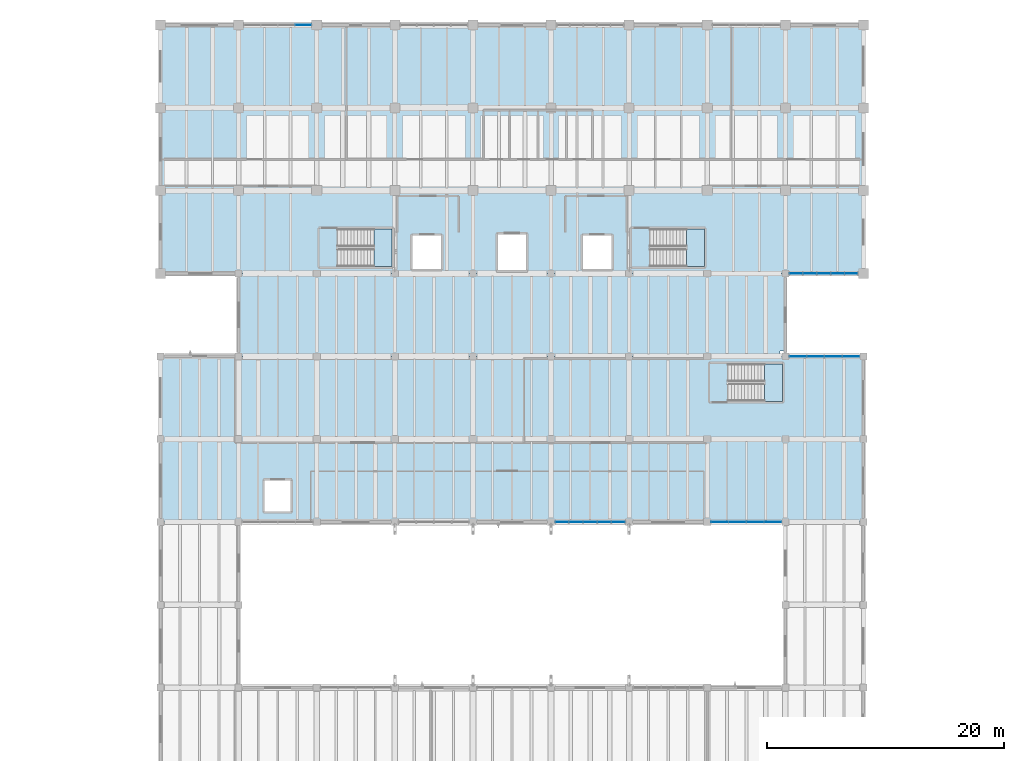
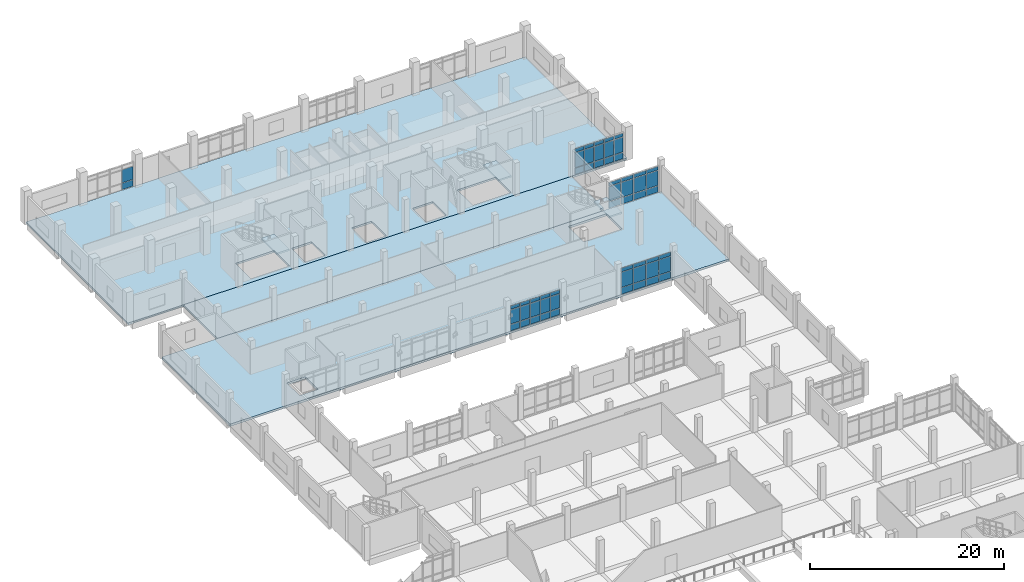
# One storey, part 39 of 68: 56 plates, 6 slabs, 8 elements without a shape of their own.
"""IFC4 building model written with IfcOpenShell, lengths in metres."""

from ifc_helpers import new_model, si_unit, direction, frame, origin, origin_2d, place, context, subcontext, project, spatial, polyline, rectangle, outline, extrude, material, layer, layer_set, type_object, element, aggregate, save


model = new_model("IFC4")

# Units and contexts
model_context = context("Model", 3, precision=1e-05, world=origin(), true_north=direction((0.0, 1.0)))
body_context = subcontext(model_context, "Body", "Model", "MODEL_VIEW")
ifc_project = project(units=[si_unit("LENGTHUNIT", "METRE"), si_unit("AREAUNIT", "SQUARE_METRE"), si_unit("VOLUMEUNIT", "CUBIC_METRE"), si_unit("PLANEANGLEUNIT", "RADIAN"), si_unit("MASSUNIT", "GRAM", prefix="KILO")], contexts=[model_context])

# Site, building, storey
site_placement = place(None, origin())
site = spatial("IfcSite", under=ifc_project, at=site_placement, CompositionType="ELEMENT")
building_placement = place(site_placement, origin())
building = spatial("IfcBuilding", under=site, at=building_placement, Name="Ciguamira Faculty of Natural Sciences", CompositionType="ELEMENT")
storey_placement = place(building_placement, frame((0.0, 0.0, 4.199951171875)))
storey = spatial("IfcBuildingStorey", under=building, at=storey_placement, Name="L01", CompositionType="ELEMENT", Elevation=4.199951171875)

# Curtain wall, plates
ifc_material_1 = material(Name="Anodized aluminium curtain wall", Category="aluminium")
curtain_wall_type_1 = type_object("IfcCurtainWallType", Name="CurtainWall_CW-07", PredefinedType="USERDEFINED", material=ifc_material_1)
curtain_wall_1_placement = place(storey_placement, origin())
curtain_wall_1 = element("IfcCurtainWall", 1, at=curtain_wall_1_placement, inside=storey, type_object=curtain_wall_type_1, Name="L01 unitised curtain wall 0043", ObjectType="UNITISED CURTAIN WALL", PredefinedType="USERDEFINED")
ifc_material_2 = material(Name="Low-E laminated solar glass", Category="glass")
ifc_layer_1 = layer(ifc_material_2, 0.028076171875, Name="Low-E laminated solar glass")
ifc_layer_set_1 = layer_set([ifc_layer_1], Name="Low-E laminated solar glass")
plate_type_1 = type_object("IfcPlateType", Name="CWPanel_CWP-01", PredefinedType="CURTAIN_PANEL", material=ifc_layer_set_1)
plate_1_placement = place(storey_placement, frame((104.56494140625, 73.0, 0.06005859375), z_axis=(0.0, 0.0, 1.0), x_axis=(1.0, 0.0, 0.0)))
plate_1 = element("IfcPlate", 2, at=plate_1_placement, type_object=plate_type_1, Name="CW-07 panel 1.1", PredefinedType="CURTAIN_PANEL", context=body_context, shape_type="SweptSolid", body=[
    extrude(rectangle(XDim=1.409912109375, YDim=0.028076171875, at=origin_2d()), origin(), (0.0, 0.0, 1.0), 0.81005859375),
])
plate_2_placement = place(storey_placement, frame((104.56494140625, 73.0, 0.929931640625), z_axis=(0.0, 0.0, 1.0), x_axis=(1.0, 0.0, 0.0)))
plate_2 = element("IfcPlate", 3, at=plate_2_placement, type_object=plate_type_1, Name="CW-07 panel 1.2", PredefinedType="CURTAIN_PANEL", context=body_context, shape_type="SweptSolid", body=[
    extrude(rectangle(XDim=1.409912109375, YDim=0.028076171875, at=origin_2d()), origin(), (0.0, 0.0, 1.0), 1.875),
])
plate_3_placement = place(storey_placement, frame((104.56494140625, 73.0, 2.864990234375), z_axis=(0.0, 0.0, 1.0), x_axis=(1.0, 0.0, 0.0)))
plate_3 = element("IfcPlate", 4, at=plate_3_placement, type_object=plate_type_1, Name="CW-07 panel 1.3", PredefinedType="CURTAIN_PANEL", context=body_context, shape_type="SweptSolid", body=[
    extrude(rectangle(XDim=1.409912109375, YDim=0.028076171875, at=origin_2d()), origin(), (0.0, 0.0, 1.0), 0.4599609375),
])
plate_4_placement = place(storey_placement, frame((106.050048828125, 73.0, 0.06005859375), z_axis=(0.0, 0.0, 1.0), x_axis=(1.0, 0.0, 0.0)))
plate_4 = element("IfcPlate", 5, at=plate_4_placement, type_object=plate_type_1, Name="CW-07 panel 2.1", PredefinedType="CURTAIN_PANEL", context=body_context, shape_type="SweptSolid", body=[
    extrude(rectangle(XDim=1.43994140625, YDim=0.028076171875, at=origin_2d()), origin(), (0.0, 0.0, 1.0), 0.81005859375),
])
plate_5_placement = place(storey_placement, frame((106.050048828125, 73.0, 0.929931640625), z_axis=(0.0, 0.0, 1.0), x_axis=(1.0, 0.0, 0.0)))
plate_5 = element("IfcPlate", 6, at=plate_5_placement, type_object=plate_type_1, Name="CW-07 panel 2.2", PredefinedType="CURTAIN_PANEL", context=body_context, shape_type="SweptSolid", body=[
    extrude(rectangle(XDim=1.43994140625, YDim=0.028076171875, at=origin_2d()), origin(), (0.0, 0.0, 1.0), 1.875),
])
plate_6_placement = place(storey_placement, frame((106.050048828125, 73.0, 2.864990234375), z_axis=(0.0, 0.0, 1.0), x_axis=(1.0, 0.0, 0.0)))
plate_6 = element("IfcPlate", 7, at=plate_6_placement, type_object=plate_type_1, Name="CW-07 panel 2.3", PredefinedType="CURTAIN_PANEL", context=body_context, shape_type="SweptSolid", body=[
    extrude(rectangle(XDim=1.43994140625, YDim=0.028076171875, at=origin_2d()), origin(), (0.0, 0.0, 1.0), 0.4599609375),
])
plate_7_placement = place(storey_placement, frame((107.550048828125, 73.0, 0.06005859375), z_axis=(0.0, 0.0, 1.0), x_axis=(1.0, 0.0, 0.0)))
plate_7 = element("IfcPlate", 8, at=plate_7_placement, type_object=plate_type_1, Name="CW-07 panel 3.1", PredefinedType="CURTAIN_PANEL", context=body_context, shape_type="SweptSolid", body=[
    extrude(rectangle(XDim=1.43994140625, YDim=0.028076171875, at=origin_2d()), origin(), (0.0, 0.0, 1.0), 0.81005859375),
])
plate_8_placement = place(storey_placement, frame((107.550048828125, 73.0, 0.929931640625), z_axis=(0.0, 0.0, 1.0), x_axis=(1.0, 0.0, 0.0)))
plate_8 = element("IfcPlate", 9, at=plate_8_placement, type_object=plate_type_1, Name="CW-07 panel 3.2", PredefinedType="CURTAIN_PANEL", context=body_context, shape_type="SweptSolid", body=[
    extrude(rectangle(XDim=1.43994140625, YDim=0.028076171875, at=origin_2d()), origin(), (0.0, 0.0, 1.0), 1.875),
])
plate_9_placement = place(storey_placement, frame((107.550048828125, 73.0, 2.864990234375), z_axis=(0.0, 0.0, 1.0), x_axis=(1.0, 0.0, 0.0)))
plate_9 = element("IfcPlate", 10, at=plate_9_placement, type_object=plate_type_1, Name="CW-07 panel 3.3", PredefinedType="CURTAIN_PANEL", context=body_context, shape_type="SweptSolid", body=[
    extrude(rectangle(XDim=1.43994140625, YDim=0.028076171875, at=origin_2d()), origin(), (0.0, 0.0, 1.0), 0.4599609375),
])
plate_10_placement = place(storey_placement, frame((109.034912109375, 73.0, 0.06005859375), z_axis=(0.0, 0.0, 1.0), x_axis=(1.0, 0.0, 0.0)))
plate_10 = element("IfcPlate", 11, at=plate_10_placement, type_object=plate_type_1, Name="CW-07 panel 4.1", PredefinedType="CURTAIN_PANEL", context=body_context, shape_type="SweptSolid", body=[
    extrude(rectangle(XDim=1.409912109375, YDim=0.028076171875, at=origin_2d()), origin(), (0.0, 0.0, 1.0), 0.81005859375),
])
plate_11_placement = place(storey_placement, frame((109.034912109375, 73.0, 0.929931640625), z_axis=(0.0, 0.0, 1.0), x_axis=(1.0, 0.0, 0.0)))
plate_11 = element("IfcPlate", 12, at=plate_11_placement, type_object=plate_type_1, Name="CW-07 panel 4.2", PredefinedType="CURTAIN_PANEL", context=body_context, shape_type="SweptSolid", body=[
    extrude(rectangle(XDim=1.409912109375, YDim=0.028076171875, at=origin_2d()), origin(), (0.0, 0.0, 1.0), 1.875),
])
plate_12_placement = place(storey_placement, frame((109.034912109375, 73.0, 2.864990234375), z_axis=(0.0, 0.0, 1.0), x_axis=(1.0, 0.0, 0.0)))
plate_12 = element("IfcPlate", 13, at=plate_12_placement, type_object=plate_type_1, Name="CW-07 panel 4.3", PredefinedType="CURTAIN_PANEL", context=body_context, shape_type="SweptSolid", body=[
    extrude(rectangle(XDim=1.409912109375, YDim=0.028076171875, at=origin_2d()), origin(), (0.0, 0.0, 1.0), 0.4599609375),
])
aggregate(curtain_wall_1, [plate_1, plate_2, plate_3, plate_4, plate_5, plate_6, plate_7, plate_8, plate_9, plate_10, plate_11, plate_12])

curtain_wall_type_2 = type_object("IfcCurtainWallType", Name="CurtainWall_CW-09", PredefinedType="USERDEFINED", material=ifc_material_1)
curtain_wall_2_placement = place(storey_placement, origin())
curtain_wall_2 = element("IfcCurtainWall", 14, at=curtain_wall_2_placement, inside=storey, type_object=curtain_wall_type_2, Name="L01 unitised curtain wall 0045", ObjectType="UNITISED CURTAIN WALL", PredefinedType="USERDEFINED")
plate_13_placement = place(storey_placement, frame((111.007568359375, 94.0, 0.080078125), z_axis=(0.0, 0.0, 1.0), x_axis=(1.0, 0.0, 0.0)))
plate_13 = element("IfcPlate", 15, at=plate_13_placement, type_object=plate_type_1, Name="CW-09 panel 1.1", PredefinedType="CURTAIN_PANEL", context=body_context, shape_type="SweptSolid", body=[
    extrude(rectangle(XDim=1.054931640625, YDim=0.028076171875, at=origin_2d()), origin(), (0.0, 0.0, 1.0), 0.780029296875),
])
plate_14_placement = place(storey_placement, frame((111.007568359375, 94.0, 0.93994140625), z_axis=(0.0, 0.0, 1.0), x_axis=(1.0, 0.0, 0.0)))
plate_14 = element("IfcPlate", 16, at=plate_14_placement, type_object=plate_type_1, Name="CW-09 panel 1.2", PredefinedType="CURTAIN_PANEL", context=body_context, shape_type="SweptSolid", body=[
    extrude(rectangle(XDim=1.054931640625, YDim=0.028076171875, at=origin_2d()), origin(), (0.0, 0.0, 1.0), 1.85498046875),
])
plate_15_placement = place(storey_placement, frame((111.007568359375, 94.0, 2.875), z_axis=(0.0, 0.0, 1.0), x_axis=(1.0, 0.0, 0.0)))
plate_15 = element("IfcPlate", 17, at=plate_15_placement, type_object=plate_type_1, Name="CW-09 panel 1.3", PredefinedType="CURTAIN_PANEL", context=body_context, shape_type="SweptSolid", body=[
    extrude(rectangle(XDim=1.054931640625, YDim=0.028076171875, at=origin_2d()), origin(), (0.0, 0.0, 1.0), 0.429931640625),
])
plate_16_placement = place(storey_placement, frame((112.16259765625, 94.0, 0.080078125), z_axis=(0.0, 0.0, 1.0), x_axis=(1.0, 0.0, 0.0)))
plate_16 = element("IfcPlate", 18, at=plate_16_placement, type_object=plate_type_1, Name="CW-09 panel 2.1", PredefinedType="CURTAIN_PANEL", context=body_context, shape_type="SweptSolid", body=[
    extrude(rectangle(XDim=1.094970703125, YDim=0.028076171875, at=origin_2d()), origin(), (0.0, 0.0, 1.0), 0.780029296875),
])
plate_17_placement = place(storey_placement, frame((112.16259765625, 94.0, 0.93994140625), z_axis=(0.0, 0.0, 1.0), x_axis=(1.0, 0.0, 0.0)))
plate_17 = element("IfcPlate", 19, at=plate_17_placement, type_object=plate_type_1, Name="CW-09 panel 2.2", PredefinedType="CURTAIN_PANEL", context=body_context, shape_type="SweptSolid", body=[
    extrude(rectangle(XDim=1.094970703125, YDim=0.028076171875, at=origin_2d()), origin(), (0.0, 0.0, 1.0), 1.85498046875),
])
plate_18_placement = place(storey_placement, frame((112.16259765625, 94.0, 2.875), z_axis=(0.0, 0.0, 1.0), x_axis=(1.0, 0.0, 0.0)))
plate_18 = element("IfcPlate", 20, at=plate_18_placement, type_object=plate_type_1, Name="CW-09 panel 2.3", PredefinedType="CURTAIN_PANEL", context=body_context, shape_type="SweptSolid", body=[
    extrude(rectangle(XDim=1.094970703125, YDim=0.028076171875, at=origin_2d()), origin(), (0.0, 0.0, 1.0), 0.429931640625),
])
plate_19_placement = place(storey_placement, frame((113.33740234375, 94.0, 0.080078125), z_axis=(0.0, 0.0, 1.0), x_axis=(1.0, 0.0, 0.0)))
plate_19 = element("IfcPlate", 21, at=plate_19_placement, type_object=plate_type_1, Name="CW-09 panel 3.1", PredefinedType="CURTAIN_PANEL", context=body_context, shape_type="SweptSolid", body=[
    extrude(rectangle(XDim=1.094970703125, YDim=0.028076171875, at=origin_2d()), origin(), (0.0, 0.0, 1.0), 0.780029296875),
])
plate_20_placement = place(storey_placement, frame((113.33740234375, 94.0, 0.93994140625), z_axis=(0.0, 0.0, 1.0), x_axis=(1.0, 0.0, 0.0)))
plate_20 = element("IfcPlate", 22, at=plate_20_placement, type_object=plate_type_1, Name="CW-09 panel 3.2", PredefinedType="CURTAIN_PANEL", context=body_context, shape_type="SweptSolid", body=[
    extrude(rectangle(XDim=1.094970703125, YDim=0.028076171875, at=origin_2d()), origin(), (0.0, 0.0, 1.0), 1.85498046875),
])
plate_21_placement = place(storey_placement, frame((113.33740234375, 94.0, 2.875), z_axis=(0.0, 0.0, 1.0), x_axis=(1.0, 0.0, 0.0)))
plate_21 = element("IfcPlate", 23, at=plate_21_placement, type_object=plate_type_1, Name="CW-09 panel 3.3", PredefinedType="CURTAIN_PANEL", context=body_context, shape_type="SweptSolid", body=[
    extrude(rectangle(XDim=1.094970703125, YDim=0.028076171875, at=origin_2d()), origin(), (0.0, 0.0, 1.0), 0.429931640625),
])
plate_22_placement = place(storey_placement, frame((114.512451171875, 94.0, 0.080078125), z_axis=(0.0, 0.0, 1.0), x_axis=(1.0, 0.0, 0.0)))
plate_22 = element("IfcPlate", 24, at=plate_22_placement, type_object=plate_type_1, Name="CW-09 panel 4.1", PredefinedType="CURTAIN_PANEL", context=body_context, shape_type="SweptSolid", body=[
    extrude(rectangle(XDim=1.094970703125, YDim=0.028076171875, at=origin_2d()), origin(), (0.0, 0.0, 1.0), 0.780029296875),
])
plate_23_placement = place(storey_placement, frame((114.512451171875, 94.0, 0.93994140625), z_axis=(0.0, 0.0, 1.0), x_axis=(1.0, 0.0, 0.0)))
plate_23 = element("IfcPlate", 25, at=plate_23_placement, type_object=plate_type_1, Name="CW-09 panel 4.2", PredefinedType="CURTAIN_PANEL", context=body_context, shape_type="SweptSolid", body=[
    extrude(rectangle(XDim=1.094970703125, YDim=0.028076171875, at=origin_2d()), origin(), (0.0, 0.0, 1.0), 1.85498046875),
])
plate_24_placement = place(storey_placement, frame((114.512451171875, 94.0, 2.875), z_axis=(0.0, 0.0, 1.0), x_axis=(1.0, 0.0, 0.0)))
plate_24 = element("IfcPlate", 26, at=plate_24_placement, type_object=plate_type_1, Name="CW-09 panel 4.3", PredefinedType="CURTAIN_PANEL", context=body_context, shape_type="SweptSolid", body=[
    extrude(rectangle(XDim=1.094970703125, YDim=0.028076171875, at=origin_2d()), origin(), (0.0, 0.0, 1.0), 0.429931640625),
])
plate_25_placement = place(storey_placement, frame((115.66748046875, 94.0, 0.080078125), z_axis=(0.0, 0.0, 1.0), x_axis=(1.0, 0.0, 0.0)))
plate_25 = element("IfcPlate", 27, at=plate_25_placement, type_object=plate_type_1, Name="CW-09 panel 5.1", PredefinedType="CURTAIN_PANEL", context=body_context, shape_type="SweptSolid", body=[
    extrude(rectangle(XDim=1.054931640625, YDim=0.028076171875, at=origin_2d()), origin(), (0.0, 0.0, 1.0), 0.780029296875),
])
plate_26_placement = place(storey_placement, frame((115.66748046875, 94.0, 0.93994140625), z_axis=(0.0, 0.0, 1.0), x_axis=(1.0, 0.0, 0.0)))
plate_26 = element("IfcPlate", 28, at=plate_26_placement, type_object=plate_type_1, Name="CW-09 panel 5.2", PredefinedType="CURTAIN_PANEL", context=body_context, shape_type="SweptSolid", body=[
    extrude(rectangle(XDim=1.054931640625, YDim=0.028076171875, at=origin_2d()), origin(), (0.0, 0.0, 1.0), 1.85498046875),
])
plate_27_placement = place(storey_placement, frame((115.66748046875, 94.0, 2.875), z_axis=(0.0, 0.0, 1.0), x_axis=(1.0, 0.0, 0.0)))
plate_27 = element("IfcPlate", 29, at=plate_27_placement, type_object=plate_type_1, Name="CW-09 panel 5.3", PredefinedType="CURTAIN_PANEL", context=body_context, shape_type="SweptSolid", body=[
    extrude(rectangle(XDim=1.054931640625, YDim=0.028076171875, at=origin_2d()), origin(), (0.0, 0.0, 1.0), 0.429931640625),
])
aggregate(curtain_wall_2, [plate_13, plate_14, plate_15, plate_16, plate_17, plate_18, plate_19, plate_20, plate_21, plate_22, plate_23, plate_24, plate_25, plate_26, plate_27])

curtain_wall_type_3 = type_object("IfcCurtainWallType", Name="CurtainWall_CW-06", PredefinedType="USERDEFINED", material=ifc_material_1)
curtain_wall_3_placement = place(storey_placement, origin())
curtain_wall_3 = element("IfcCurtainWall", 30, at=curtain_wall_3_placement, inside=storey, type_object=curtain_wall_type_3, Name="L01 unitised curtain wall 0042", ObjectType="UNITISED CURTAIN WALL", PredefinedType="USERDEFINED")
ifc_layer_2 = layer(ifc_material_2, 0.035888671875, Name="Low-E laminated solar glass")
ifc_layer_set_2 = layer_set([ifc_layer_2], Name="Low-E laminated solar glass")
plate_type_2 = type_object("IfcPlateType", Name="CWPanel_CWP-02", PredefinedType="CURTAIN_PANEL", material=ifc_layer_set_2)
plate_28_placement = place(storey_placement, frame((91.219970703125, 73.0, 0.080078125), z_axis=(0.0, 0.0, 1.0), x_axis=(1.0, 0.0, 0.0)))
plate_28 = element("IfcPlate", 31, at=plate_28_placement, type_object=plate_type_2, Name="CW-06 panel 1.1", PredefinedType="CURTAIN_PANEL", context=body_context, shape_type="SweptSolid", body=[
    extrude(rectangle(XDim=1.080078125, YDim=0.035888671875, at=origin_2d()), origin(), (0.0, 0.0, 1.0), 0.780029296875),
])
plate_29_placement = place(storey_placement, frame((91.219970703125, 73.0, 0.940185546875), z_axis=(0.0, 0.0, 1.0), x_axis=(1.0, 0.0, 0.0)))
plate_29 = element("IfcPlate", 32, at=plate_29_placement, type_object=plate_type_2, Name="CW-06 panel 1.2", PredefinedType="CURTAIN_PANEL", context=body_context, shape_type="SweptSolid", body=[
    extrude(rectangle(XDim=1.080078125, YDim=0.035888671875, at=origin_2d()), origin(), (0.0, 0.0, 1.0), 1.7548828125),
])
plate_30_placement = place(storey_placement, frame((91.219970703125, 73.0, 2.77490234375), z_axis=(0.0, 0.0, 1.0), x_axis=(1.0, 0.0, 0.0)))
plate_30 = element("IfcPlate", 33, at=plate_30_placement, type_object=plate_type_2, Name="CW-06 panel 1.3", PredefinedType="CURTAIN_PANEL", context=body_context, shape_type="SweptSolid", body=[
    extrude(rectangle(XDim=1.080078125, YDim=0.035888671875, at=origin_2d()), origin(), (0.0, 0.0, 1.0), 0.429931640625),
])
plate_31_placement = place(storey_placement, frame((92.39990234375, 73.0, 0.080078125), z_axis=(0.0, 0.0, 1.0), x_axis=(1.0, 0.0, 0.0)))
plate_31 = element("IfcPlate", 34, at=plate_31_placement, type_object=plate_type_2, Name="CW-06 panel 2.1", PredefinedType="CURTAIN_PANEL", context=body_context, shape_type="SweptSolid", body=[
    extrude(rectangle(XDim=1.1201171875, YDim=0.035888671875, at=origin_2d()), origin(), (0.0, 0.0, 1.0), 0.780029296875),
])
plate_32_placement = place(storey_placement, frame((92.39990234375, 73.0, 0.940185546875), z_axis=(0.0, 0.0, 1.0), x_axis=(1.0, 0.0, 0.0)))
plate_32 = element("IfcPlate", 35, at=plate_32_placement, type_object=plate_type_2, Name="CW-06 panel 2.2", PredefinedType="CURTAIN_PANEL", context=body_context, shape_type="SweptSolid", body=[
    extrude(rectangle(XDim=1.1201171875, YDim=0.035888671875, at=origin_2d()), origin(), (0.0, 0.0, 1.0), 1.7548828125),
])
plate_33_placement = place(storey_placement, frame((92.39990234375, 73.0, 2.77490234375), z_axis=(0.0, 0.0, 1.0), x_axis=(1.0, 0.0, 0.0)))
plate_33 = element("IfcPlate", 36, at=plate_33_placement, type_object=plate_type_2, Name="CW-06 panel 2.3", PredefinedType="CURTAIN_PANEL", context=body_context, shape_type="SweptSolid", body=[
    extrude(rectangle(XDim=1.1201171875, YDim=0.035888671875, at=origin_2d()), origin(), (0.0, 0.0, 1.0), 0.429931640625),
])
plate_34_placement = place(storey_placement, frame((93.60009765625, 73.0, 0.080078125), z_axis=(0.0, 0.0, 1.0), x_axis=(1.0, 0.0, 0.0)))
plate_34 = element("IfcPlate", 37, at=plate_34_placement, type_object=plate_type_2, Name="CW-06 panel 3.1", PredefinedType="CURTAIN_PANEL", context=body_context, shape_type="SweptSolid", body=[
    extrude(rectangle(XDim=1.1201171875, YDim=0.035888671875, at=origin_2d()), origin(), (0.0, 0.0, 1.0), 0.780029296875),
])
plate_35_placement = place(storey_placement, frame((93.60009765625, 73.0, 0.940185546875), z_axis=(0.0, 0.0, 1.0), x_axis=(1.0, 0.0, 0.0)))
plate_35 = element("IfcPlate", 38, at=plate_35_placement, type_object=plate_type_2, Name="CW-06 panel 3.2", PredefinedType="CURTAIN_PANEL", context=body_context, shape_type="SweptSolid", body=[
    extrude(rectangle(XDim=1.1201171875, YDim=0.035888671875, at=origin_2d()), origin(), (0.0, 0.0, 1.0), 1.7548828125),
])
plate_36_placement = place(storey_placement, frame((93.60009765625, 73.0, 2.77490234375), z_axis=(0.0, 0.0, 1.0), x_axis=(1.0, 0.0, 0.0)))
plate_36 = element("IfcPlate", 39, at=plate_36_placement, type_object=plate_type_2, Name="CW-06 panel 3.3", PredefinedType="CURTAIN_PANEL", context=body_context, shape_type="SweptSolid", body=[
    extrude(rectangle(XDim=1.1201171875, YDim=0.035888671875, at=origin_2d()), origin(), (0.0, 0.0, 1.0), 0.429931640625),
])
plate_37_placement = place(storey_placement, frame((94.800048828125, 73.0, 0.080078125), z_axis=(0.0, 0.0, 1.0), x_axis=(1.0, 0.0, 0.0)))
plate_37 = element("IfcPlate", 40, at=plate_37_placement, type_object=plate_type_2, Name="CW-06 panel 4.1", PredefinedType="CURTAIN_PANEL", context=body_context, shape_type="SweptSolid", body=[
    extrude(rectangle(XDim=1.1201171875, YDim=0.035888671875, at=origin_2d()), origin(), (0.0, 0.0, 1.0), 0.780029296875),
])
plate_38_placement = place(storey_placement, frame((94.800048828125, 73.0, 0.940185546875), z_axis=(0.0, 0.0, 1.0), x_axis=(1.0, 0.0, 0.0)))
plate_38 = element("IfcPlate", 41, at=plate_38_placement, type_object=plate_type_2, Name="CW-06 panel 4.2", PredefinedType="CURTAIN_PANEL", context=body_context, shape_type="SweptSolid", body=[
    extrude(rectangle(XDim=1.1201171875, YDim=0.035888671875, at=origin_2d()), origin(), (0.0, 0.0, 1.0), 1.7548828125),
])
plate_39_placement = place(storey_placement, frame((94.800048828125, 73.0, 2.77490234375), z_axis=(0.0, 0.0, 1.0), x_axis=(1.0, 0.0, 0.0)))
plate_39 = element("IfcPlate", 42, at=plate_39_placement, type_object=plate_type_2, Name="CW-06 panel 4.3", PredefinedType="CURTAIN_PANEL", context=body_context, shape_type="SweptSolid", body=[
    extrude(rectangle(XDim=1.1201171875, YDim=0.035888671875, at=origin_2d()), origin(), (0.0, 0.0, 1.0), 0.429931640625),
])
plate_40_placement = place(storey_placement, frame((95.97998046875, 73.0, 0.080078125), z_axis=(0.0, 0.0, 1.0), x_axis=(1.0, 0.0, 0.0)))
plate_40 = element("IfcPlate", 43, at=plate_40_placement, type_object=plate_type_2, Name="CW-06 panel 5.1", PredefinedType="CURTAIN_PANEL", context=body_context, shape_type="SweptSolid", body=[
    extrude(rectangle(XDim=1.080078125, YDim=0.035888671875, at=origin_2d()), origin(), (0.0, 0.0, 1.0), 0.780029296875),
])
plate_41_placement = place(storey_placement, frame((95.97998046875, 73.0, 0.940185546875), z_axis=(0.0, 0.0, 1.0), x_axis=(1.0, 0.0, 0.0)))
plate_41 = element("IfcPlate", 44, at=plate_41_placement, type_object=plate_type_2, Name="CW-06 panel 5.2", PredefinedType="CURTAIN_PANEL", context=body_context, shape_type="SweptSolid", body=[
    extrude(rectangle(XDim=1.080078125, YDim=0.035888671875, at=origin_2d()), origin(), (0.0, 0.0, 1.0), 1.7548828125),
])
plate_42_placement = place(storey_placement, frame((95.97998046875, 73.0, 2.77490234375), z_axis=(0.0, 0.0, 1.0), x_axis=(1.0, 0.0, 0.0)))
plate_42 = element("IfcPlate", 45, at=plate_42_placement, type_object=plate_type_2, Name="CW-06 panel 5.3", PredefinedType="CURTAIN_PANEL", context=body_context, shape_type="SweptSolid", body=[
    extrude(rectangle(XDim=1.080078125, YDim=0.035888671875, at=origin_2d()), origin(), (0.0, 0.0, 1.0), 0.429931640625),
])
aggregate(curtain_wall_3, [plate_28, plate_29, plate_30, plate_31, plate_32, plate_33, plate_34, plate_35, plate_36, plate_37, plate_38, plate_39, plate_40, plate_41, plate_42])

curtain_wall_type_4 = type_object("IfcCurtainWallType", Name="CurtainWall_CW-08", PredefinedType="USERDEFINED", material=ifc_material_1)
curtain_wall_4_placement = place(storey_placement, origin())
curtain_wall_4 = element("IfcCurtainWall", 46, at=curtain_wall_4_placement, inside=storey, type_object=curtain_wall_type_4, Name="L01 unitised curtain wall 0044", ObjectType="UNITISED CURTAIN WALL", PredefinedType="USERDEFINED")
plate_43_placement = place(storey_placement, frame((111.16748046875, 87.0, 0.070068359375), z_axis=(0.0, 0.0, 1.0), x_axis=(1.0, 0.0, 0.0)))
plate_43 = element("IfcPlate", 47, at=plate_43_placement, type_object=plate_type_2, Name="CW-08 panel 1.1", PredefinedType="CURTAIN_PANEL", context=body_context, shape_type="SweptSolid", body=[
    extrude(rectangle(XDim=1.39501953125, YDim=0.035888671875, at=origin_2d()), origin(), (0.0, 0.0, 1.0), 0.794921875),
])
plate_44_placement = place(storey_placement, frame((111.16748046875, 87.0, 0.93505859375), z_axis=(0.0, 0.0, 1.0), x_axis=(1.0, 0.0, 0.0)))
plate_44 = element("IfcPlate", 48, at=plate_44_placement, type_object=plate_type_2, Name="CW-08 panel 1.2", PredefinedType="CURTAIN_PANEL", context=body_context, shape_type="SweptSolid", body=[
    extrude(rectangle(XDim=1.39501953125, YDim=0.035888671875, at=origin_2d()), origin(), (0.0, 0.0, 1.0), 1.864990234375),
])
plate_45_placement = place(storey_placement, frame((111.16748046875, 87.0, 2.8701171875), z_axis=(0.0, 0.0, 1.0), x_axis=(1.0, 0.0, 0.0)))
plate_45 = element("IfcPlate", 49, at=plate_45_placement, type_object=plate_type_2, Name="CW-08 panel 1.3", PredefinedType="CURTAIN_PANEL", context=body_context, shape_type="SweptSolid", body=[
    extrude(rectangle(XDim=1.39501953125, YDim=0.035888671875, at=origin_2d()), origin(), (0.0, 0.0, 1.0), 0.445068359375),
])
plate_46_placement = place(storey_placement, frame((112.64990234375, 87.0, 0.070068359375), z_axis=(0.0, 0.0, 1.0), x_axis=(1.0, 0.0, 0.0)))
plate_46 = element("IfcPlate", 50, at=plate_46_placement, type_object=plate_type_2, Name="CW-08 panel 2.1", PredefinedType="CURTAIN_PANEL", context=body_context, shape_type="SweptSolid", body=[
    extrude(rectangle(XDim=1.429931640625, YDim=0.035888671875, at=origin_2d()), origin(), (0.0, 0.0, 1.0), 0.794921875),
])
plate_47_placement = place(storey_placement, frame((112.64990234375, 87.0, 0.93505859375), z_axis=(0.0, 0.0, 1.0), x_axis=(1.0, 0.0, 0.0)))
plate_47 = element("IfcPlate", 51, at=plate_47_placement, type_object=plate_type_2, Name="CW-08 panel 2.2", PredefinedType="CURTAIN_PANEL", context=body_context, shape_type="SweptSolid", body=[
    extrude(rectangle(XDim=1.429931640625, YDim=0.035888671875, at=origin_2d()), origin(), (0.0, 0.0, 1.0), 1.864990234375),
])
plate_48_placement = place(storey_placement, frame((112.64990234375, 87.0, 2.8701171875), z_axis=(0.0, 0.0, 1.0), x_axis=(1.0, 0.0, 0.0)))
plate_48 = element("IfcPlate", 52, at=plate_48_placement, type_object=plate_type_2, Name="CW-08 panel 2.3", PredefinedType="CURTAIN_PANEL", context=body_context, shape_type="SweptSolid", body=[
    extrude(rectangle(XDim=1.429931640625, YDim=0.035888671875, at=origin_2d()), origin(), (0.0, 0.0, 1.0), 0.445068359375),
])
plate_49_placement = place(storey_placement, frame((114.14990234375, 87.0, 0.070068359375), z_axis=(0.0, 0.0, 1.0), x_axis=(1.0, 0.0, 0.0)))
plate_49 = element("IfcPlate", 53, at=plate_49_placement, type_object=plate_type_2, Name="CW-08 panel 3.1", PredefinedType="CURTAIN_PANEL", context=body_context, shape_type="SweptSolid", body=[
    extrude(rectangle(XDim=1.429931640625, YDim=0.035888671875, at=origin_2d()), origin(), (0.0, 0.0, 1.0), 0.794921875),
])
plate_50_placement = place(storey_placement, frame((114.14990234375, 87.0, 0.93505859375), z_axis=(0.0, 0.0, 1.0), x_axis=(1.0, 0.0, 0.0)))
plate_50 = element("IfcPlate", 54, at=plate_50_placement, type_object=plate_type_2, Name="CW-08 panel 3.2", PredefinedType="CURTAIN_PANEL", context=body_context, shape_type="SweptSolid", body=[
    extrude(rectangle(XDim=1.429931640625, YDim=0.035888671875, at=origin_2d()), origin(), (0.0, 0.0, 1.0), 1.864990234375),
])
plate_51_placement = place(storey_placement, frame((114.14990234375, 87.0, 2.8701171875), z_axis=(0.0, 0.0, 1.0), x_axis=(1.0, 0.0, 0.0)))
plate_51 = element("IfcPlate", 55, at=plate_51_placement, type_object=plate_type_2, Name="CW-08 panel 3.3", PredefinedType="CURTAIN_PANEL", context=body_context, shape_type="SweptSolid", body=[
    extrude(rectangle(XDim=1.429931640625, YDim=0.035888671875, at=origin_2d()), origin(), (0.0, 0.0, 1.0), 0.445068359375),
])
plate_52_placement = place(storey_placement, frame((115.632568359375, 87.0, 0.070068359375), z_axis=(0.0, 0.0, 1.0), x_axis=(1.0, 0.0, 0.0)))
plate_52 = element("IfcPlate", 56, at=plate_52_placement, type_object=plate_type_2, Name="CW-08 panel 4.1", PredefinedType="CURTAIN_PANEL", context=body_context, shape_type="SweptSolid", body=[
    extrude(rectangle(XDim=1.39501953125, YDim=0.035888671875, at=origin_2d()), origin(), (0.0, 0.0, 1.0), 0.794921875),
])
plate_53_placement = place(storey_placement, frame((115.632568359375, 87.0, 0.93505859375), z_axis=(0.0, 0.0, 1.0), x_axis=(1.0, 0.0, 0.0)))
plate_53 = element("IfcPlate", 57, at=plate_53_placement, type_object=plate_type_2, Name="CW-08 panel 4.2", PredefinedType="CURTAIN_PANEL", context=body_context, shape_type="SweptSolid", body=[
    extrude(rectangle(XDim=1.39501953125, YDim=0.035888671875, at=origin_2d()), origin(), (0.0, 0.0, 1.0), 1.864990234375),
])
plate_54_placement = place(storey_placement, frame((115.632568359375, 87.0, 2.8701171875), z_axis=(0.0, 0.0, 1.0), x_axis=(1.0, 0.0, 0.0)))
plate_54 = element("IfcPlate", 58, at=plate_54_placement, type_object=plate_type_2, Name="CW-08 panel 4.3", PredefinedType="CURTAIN_PANEL", context=body_context, shape_type="SweptSolid", body=[
    extrude(rectangle(XDim=1.39501953125, YDim=0.035888671875, at=origin_2d()), origin(), (0.0, 0.0, 1.0), 0.445068359375),
])
aggregate(curtain_wall_4, [plate_43, plate_44, plate_45, plate_46, plate_47, plate_48, plate_49, plate_50, plate_51, plate_52, plate_53, plate_54])

curtain_wall_type_5 = type_object("IfcCurtainWallType", Name="CurtainWall_CW-10", PredefinedType="USERDEFINED", material=ifc_material_1)
curtain_wall_5_placement = place(storey_placement, origin())
curtain_wall_5 = element("IfcCurtainWall", 59, at=curtain_wall_5_placement, inside=storey, type_object=curtain_wall_type_5, Name="L01 unitised curtain wall 0046", ObjectType="UNITISED CURTAIN WALL", PredefinedType="USERDEFINED")
plate_55_placement = place(storey_placement, frame((69.34130859375, 115.0, 0.06005859375), z_axis=(0.0, 0.0, 1.0), x_axis=(1.0, 0.0, 0.0)))
plate_55 = element("IfcPlate", 60, at=plate_55_placement, type_object=plate_type_2, Name="CW-10 panel 4.1", PredefinedType="CURTAIN_PANEL", context=body_context, shape_type="SweptSolid", body=[
    extrude(rectangle(XDim=1.347412109375, YDim=0.035888671875, at=origin_2d()), origin(), (0.0, 0.0, 1.0), 0.81005859375),
])
plate_56_placement = place(storey_placement, frame((69.34130859375, 115.0, 0.929931640625), z_axis=(0.0, 0.0, 1.0), x_axis=(1.0, 0.0, 0.0)))
plate_56 = element("IfcPlate", 61, at=plate_56_placement, type_object=plate_type_2, Name="CW-10 panel 4.2", PredefinedType="CURTAIN_PANEL", context=body_context, shape_type="SweptSolid", body=[
    extrude(rectangle(XDim=1.347412109375, YDim=0.035888671875, at=origin_2d()), origin(), (0.0, 0.0, 1.0), 1.625),
])
aggregate(curtain_wall_5, [plate_55, plate_56])

# Slabs
ifc_material_3 = material(Name="Concrete C40/50", Category="concrete")
ifc_layer_3 = layer(ifc_material_3, 0.280029296875, Name="Concrete C40/50")
ifc_layer_set_3 = layer_set([ifc_layer_3], Name="Concrete C40/50")
slab_type_1 = type_object("IfcSlabType", Name="Slab_SF-03_280", PredefinedType="FLOOR", material=ifc_layer_set_3)
slab_1_placement = place(storey_placement, frame((0.0, 0.0, -0.280029296875)))
element("IfcSlab", 62, at=slab_1_placement, inside=storey, type_object=slab_type_1, Name="L01 V4N structural slab", PredefinedType="FLOOR", context=body_context, shape_type="SweptSolid", body=[
    extrude(outline(polyline([(57.300048828125, 73.0), (116.699951171875, 73.0), (116.699951171875, 87.0), (57.300048828125, 87.0), (57.300048828125, 73.0)]), holes=[polyline([(105.260009765625, 83.199951171875), (109.85009765625, 83.199951171875), (109.85009765625, 86.360107421875), (105.260009765625, 86.360107421875), (105.260009765625, 83.199951171875)]), polyline([(66.10009765625, 73.89990234375), (68.300048828125, 73.89990234375), (68.300048828125, 76.5), (66.10009765625, 76.5), (66.10009765625, 73.89990234375)])]), origin(), (0.0, 0.0, 1.0), 0.280029296875),
])
slab_2_placement = place(storey_placement, frame((0.0, 0.0, -0.280029296875)))
element("IfcSlab", 63, at=slab_2_placement, inside=storey, type_object=slab_type_1, Name="L01 V4K structural slab", PredefinedType="FLOOR", context=body_context, shape_type="SweptSolid", body=[
    extrude(outline(polyline([(63.89990234375, 87.0), (109.64990234375, 87.0), (109.64990234375, 87.449951171875), (110.10009765625, 87.449951171875), (110.10009765625, 94.0), (63.89990234375, 94.0), (63.89990234375, 87.0)])), origin(), (0.0, 0.0, 1.0), 0.280029296875),
])
ifc_layer_4 = layer(ifc_material_3, 0.239990234375, Name="Concrete C40/50")
ifc_layer_set_4 = layer_set([ifc_layer_4], Name="Concrete C40/50")
slab_type_2 = type_object("IfcSlabType", Name="Slab_SF-05_240", PredefinedType="FLOOR", material=ifc_layer_set_4)
slab_3_placement = place(storey_placement, frame((0.0, 0.0, -0.239990234375)))
element("IfcSlab", 64, at=slab_3_placement, inside=storey, type_object=slab_type_2, Name="L01 V5 structural slab", PredefinedType="FLOOR", context=body_context, shape_type="SweptSolid", body=[
    extrude(outline(polyline([(57.300048828125, 94.0), (116.699951171875, 94.0), (116.699951171875, 115.0), (57.300048828125, 115.0), (57.300048828125, 94.0)]), holes=[polyline([(72.260009765625, 94.60009765625), (76.85009765625, 94.60009765625), (76.85009765625, 97.760009765625), (72.260009765625, 97.760009765625), (72.260009765625, 94.60009765625)]), polyline([(98.659912109375, 94.60009765625), (103.25, 94.60009765625), (103.25, 97.760009765625), (98.659912109375, 97.760009765625), (98.659912109375, 94.60009765625)]), polyline([(78.60009765625, 94.39990234375), (81.0, 94.39990234375), (81.0, 97.199951171875), (78.60009765625, 97.199951171875), (78.60009765625, 94.39990234375)]), polyline([(93.0, 94.39990234375), (95.39990234375, 94.39990234375), (95.39990234375, 97.199951171875), (93.0, 97.199951171875), (93.0, 94.39990234375)]), polyline([(85.800048828125, 94.300048828125), (88.199951171875, 94.300048828125), (88.199951171875, 97.300048828125), (85.800048828125, 97.300048828125), (85.800048828125, 94.300048828125)])]), origin(), (0.0, 0.0, 1.0), 0.239990234375),
])

# Stair, slab
stair_type_1 = type_object("IfcStairType", Name="Stair_STR-01", PredefinedType="HALF_TURN_STAIR", material=ifc_material_3)
stair_1_placement = place(storey_placement, origin())
stair_1 = element("IfcStair", 65, at=stair_1_placement, inside=storey, type_object=stair_type_1, Name="L01 Tower West Exit Stair", PredefinedType="HALF_TURN_STAIR")
ifc_layer_5 = layer(ifc_material_3, 0.199951171875, Name="Concrete C40/50")
ifc_layer_set_5 = layer_set([ifc_layer_5], Name="Concrete C40/50")
slab_type_3 = type_object("IfcSlabType", Name="StairLanding_SLD01", PredefinedType="LANDING", material=ifc_layer_set_5)
slab_4_placement = place(storey_placement, frame((0.0, 0.0, 1.900146484375)))
slab_4 = element("IfcSlab", 66, at=slab_4_placement, type_object=slab_type_3, Name="ST-T1 landing 1", PredefinedType="LANDING", context=body_context, shape_type="SweptSolid", body=[
    extrude(outline(polyline([(75.340087890625, 94.60009765625), (76.85009765625, 94.60009765625), (76.85009765625, 97.760009765625), (75.340087890625, 97.760009765625), (75.340087890625, 94.60009765625)])), origin(), (0.0, 0.0, 1.0), 0.199951171875),
])
aggregate(stair_1, [slab_4])

stair_type_2 = type_object("IfcStairType", Name="Stair_STR-02", PredefinedType="HALF_TURN_STAIR", material=ifc_material_3)
stair_2_placement = place(storey_placement, origin())
stair_2 = element("IfcStair", 67, at=stair_2_placement, inside=storey, type_object=stair_type_2, Name="L01 Tower East Exit Stair", PredefinedType="HALF_TURN_STAIR")
slab_5_placement = place(storey_placement, frame((0.0, 0.0, 1.900146484375)))
slab_5 = element("IfcSlab", 68, at=slab_5_placement, type_object=slab_type_3, Name="ST-T2 landing 1", PredefinedType="LANDING", context=body_context, shape_type="SweptSolid", body=[
    extrude(outline(polyline([(101.739990234375, 94.60009765625), (103.25, 94.60009765625), (103.25, 97.760009765625), (101.739990234375, 97.760009765625), (101.739990234375, 94.60009765625)])), origin(), (0.0, 0.0, 1.0), 0.199951171875),
])
aggregate(stair_2, [slab_5])

stair_3_placement = place(storey_placement, origin())
stair_3 = element("IfcStair", 69, at=stair_3_placement, inside=storey, type_object=stair_type_2, Name="L01 Wave Labs North-East Exit Stair", PredefinedType="HALF_TURN_STAIR")
slab_6_placement = place(storey_placement, frame((0.0, 0.0, 1.900146484375)))
slab_6 = element("IfcSlab", 70, at=slab_6_placement, type_object=slab_type_3, Name="ST-W2 landing 1", PredefinedType="LANDING", context=body_context, shape_type="SweptSolid", body=[
    extrude(outline(polyline([(108.340087890625, 83.199951171875), (109.85009765625, 83.199951171875), (109.85009765625, 86.360107421875), (108.340087890625, 86.360107421875), (108.340087890625, 83.199951171875)])), origin(), (0.0, 0.0, 1.0), 0.199951171875),
])
aggregate(stair_3, [slab_6])

save(model, "model.ifc")
